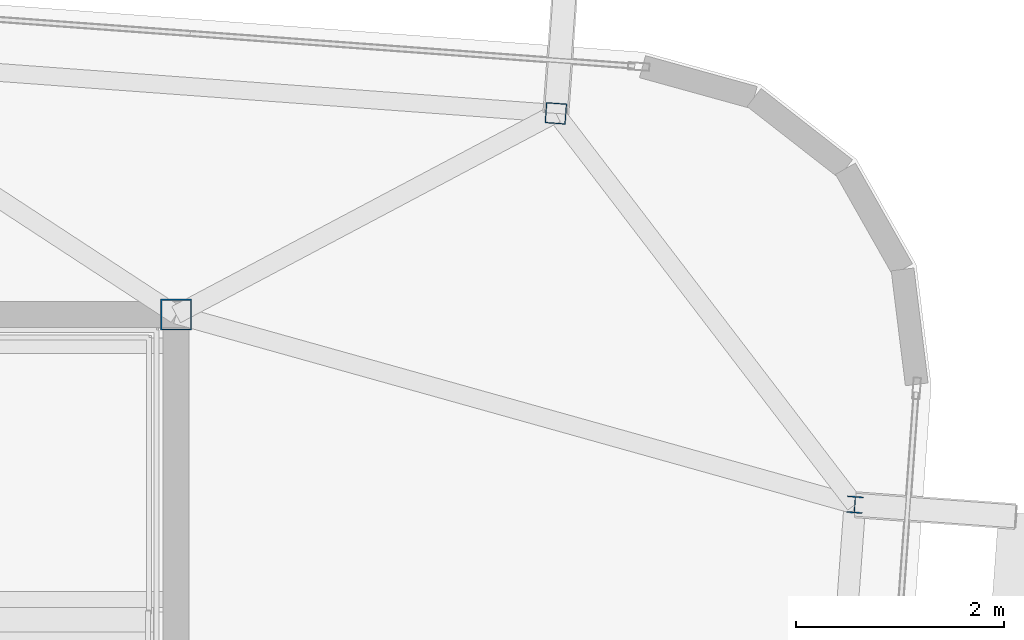
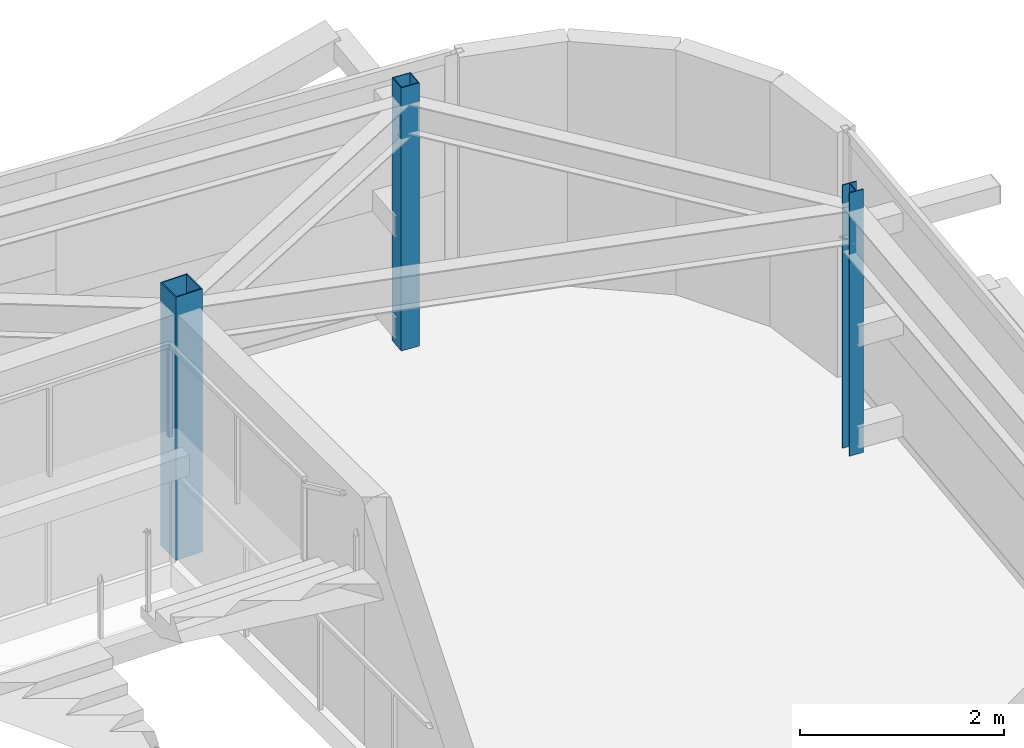
# One storey, part 6 of 35: 3 columns.
"""IFC4 building model written with IfcOpenShell, lengths in metres."""

import ifcopenshell
import ifcopenshell.guid

model = None  # the IFC model being written
_history = None  # IfcOwnerHistory: only IFC2X3 demands one
_inside = {}  # id of a spatial element -> (the spatial element, [elements in it])
_under = {}  # id of a project, library or spatial element -> (it, [spatial elements below it])
_declared = {}  # id of a project -> (the project, [libraries it declares])
_typed = {}  # id of a type object -> (the type object, [elements of that type])
_made_of = {}  # id of a material, layer set ... -> (it, [elements and type objects made of it])


def new_model(schema):
    """Start an empty IFC model of exactly this schema.

    Asked for "IFC4X3", IfcOpenShell would pick the latest addendum, in which some entities
    have other attributes; the version numbers below select the first issue.
    IFC2X3 requires an IfcOwnerHistory on every rooted entity: one is made here for all.
    """
    global model, _history
    if schema == "IFC4X3":
        model = ifcopenshell.file(schema_version=(4, 3, 0, 0))
    else:
        model = ifcopenshell.file(schema=schema)
    _inside.clear()
    _under.clear()
    _declared.clear()
    _typed.clear()
    _made_of.clear()
    _history = None
    if model.schema == "IFC2X3":
        org = make("IfcOrganization", Name="unknown")
        user = make(
            "IfcPersonAndOrganization",
            ThePerson=make("IfcPerson", FamilyName="unknown"),
            TheOrganization=org,
        )
        app = make(
            "IfcApplication",
            ApplicationDeveloper=org,
            Version="unknown",
            ApplicationFullName="unknown",
            ApplicationIdentifier="unknown",
        )
        _history = make(
            "IfcOwnerHistory",
            OwningUser=user,
            OwningApplication=app,
            ChangeAction="ADDED",
            CreationDate=0,
        )
    return model


def make(cls, **values):
    """One entity of the class cls with the attributes given. An attribute that is None is left unset."""
    return model.create_entity(
        cls, **{name: value for name, value in values.items() if value is not None}
    )


def rooted(cls, **values):
    """An entity with a GlobalId (a new one), such as an element, a storey or a relation."""
    return make(cls, GlobalId=ifcopenshell.guid.new(), OwnerHistory=_history, **values)


def si_unit(unit_type, name, prefix=None):
    """IfcSIUnit, for example si_unit("LENGTHUNIT", "METRE", prefix="MILLI")."""
    return make("IfcSIUnit", UnitType=unit_type, Prefix=prefix, Name=name)


def assignment(units):
    """IfcUnitAssignment: the units of a project."""
    return None if units is None else make("IfcUnitAssignment", Units=units)


def point(xyz):
    """IfcCartesianPoint."""
    return None if xyz is None else make("IfcCartesianPoint", Coordinates=xyz)


def direction(xyz):
    """IfcDirection."""
    return None if xyz is None else make("IfcDirection", DirectionRatios=xyz)


def frame(location, z_axis=None, x_axis=None):
    """IfcAxis2Placement3D, a coordinate frame: its origin and axes. An axis left out is left unset."""
    return make(
        "IfcAxis2Placement3D",
        Location=point(location),
        Axis=direction(z_axis),
        RefDirection=direction(x_axis),
    )


def frame_2d(location, x_axis=None):
    """IfcAxis2Placement2D, a coordinate frame in the plane: its origin and x axis."""
    return make(
        "IfcAxis2Placement2D", Location=point(location), RefDirection=direction(x_axis)
    )


def origin():
    """The frame at (0, 0, 0) with its axes left unset."""
    return frame((0.0, 0.0, 0.0))


def origin_2d():
    """The frame at (0, 0) in the plane with its x axis left unset."""
    return frame_2d((0.0, 0.0))


def place(relative_to, where):
    """IfcLocalPlacement: puts the frame where relative to a parent placement (None: the world)."""
    return make(
        "IfcLocalPlacement", PlacementRelTo=relative_to, RelativePlacement=where
    )


def context(
    kind, dimensions, precision=None, world=None, true_north=None, identifier=None
):
    """IfcGeometricRepresentationContext, for example the 3D "Model" context."""
    return make(
        "IfcGeometricRepresentationContext",
        ContextIdentifier=identifier,
        ContextType=kind,
        CoordinateSpaceDimension=dimensions,
        Precision=precision,
        WorldCoordinateSystem=world,
        TrueNorth=true_north,
    )


def subcontext(parent, identifier, kind, view, scale=None):
    """IfcGeometricRepresentationSubContext, for example "Body" below "Model"."""
    return make(
        "IfcGeometricRepresentationSubContext",
        ContextIdentifier=identifier,
        ContextType=kind,
        ParentContext=parent,
        TargetScale=scale,
        TargetView=view,
    )


def project(units=None, contexts=None):
    """IfcProject with its units and contexts."""
    return rooted(
        "IfcProject",
        Name="project",
        RepresentationContexts=contexts,
        UnitsInContext=assignment(units),
    )


def spatial(cls, under=None, at=None, **own):
    """A site, building, storey or space (cls), placed at a placement, below another one or the project."""
    s = rooted(cls, ObjectPlacement=at, **own)
    if under is not None:
        _under.setdefault(under.id(), (under, []))[1].append(s)
    return s


def profile(cls, at=None, kind="AREA", **sizes):
    """A parametric profile (cls). Its sizes go by their IFC names, for example OverallWidth=200.0."""
    return make(cls, ProfileType=kind, Position=at, **sizes)


def hollow_rectangle(**sizes):
    """IfcRectangleHollowProfileDef."""
    return profile("IfcRectangleHollowProfileDef", **sizes)


def i_section(**sizes):
    """IfcIShapeProfileDef."""
    return profile("IfcIShapeProfileDef", **sizes)


def extrude(swept, where, along, depth):
    """IfcExtrudedAreaSolid: the profile swept, set in the frame where, extruded along a direction by depth."""
    return make(
        "IfcExtrudedAreaSolid",
        SweptArea=swept,
        Position=where,
        ExtrudedDirection=direction(along),
        Depth=depth,
    )


def shape(context_of_items, identifier, shape_type, items):
    """IfcShapeRepresentation: the items that make up one representation, for example the "Body"."""
    return make(
        "IfcShapeRepresentation",
        ContextOfItems=context_of_items,
        RepresentationIdentifier=identifier,
        RepresentationType=shape_type,
        Items=items,
    )


def source(mapping_origin, context_of_items, identifier, shape_type, items):
    """IfcRepresentationMap: a shape defined once, which mapped items show again and again."""
    return make(
        "IfcRepresentationMap",
        MappingOrigin=mapping_origin,
        MappedRepresentation=shape(context_of_items, identifier, shape_type, items),
    )


def transform(
    local_origin,
    x_axis=None,
    y_axis=None,
    z_axis=None,
    scale=None,
    scale2=None,
    scale3=None,
    uniform=True,
):
    """IfcCartesianTransformationOperator3D, or its non-uniform kind. x_axis, y_axis, z_axis: its Axis1, 2, 3."""
    if uniform:
        return make(
            "IfcCartesianTransformationOperator3D",
            Axis1=direction(x_axis),
            Axis2=direction(y_axis),
            LocalOrigin=point(local_origin),
            Scale=scale,
            Axis3=direction(z_axis),
        )
    return make(
        "IfcCartesianTransformationOperator3DnonUniform",
        Axis1=direction(x_axis),
        Axis2=direction(y_axis),
        LocalOrigin=point(local_origin),
        Scale=scale,
        Axis3=direction(z_axis),
        Scale2=scale2,
        Scale3=scale3,
    )


def mapped(mapping_source, mapping_target):
    """IfcMappedItem: shows the shape of a source again, moved by a transform."""
    return make(
        "IfcMappedItem", MappingSource=mapping_source, MappingTarget=mapping_target
    )


def material(Name=None, Category=None):
    """IfcMaterial."""
    return make("IfcMaterial", Name=Name, Category=Category)


def material_profile(
    of_material, cross_section, Name=None, Category=None, Priority=None
):
    """IfcMaterialProfile: a cross section and its material."""
    return make(
        "IfcMaterialProfile",
        Name=Name,
        Material=of_material,
        Profile=cross_section,
        Priority=Priority,
        Category=Category,
    )


def profile_set(profiles, Name=None, composite=None):
    """IfcMaterialProfileSet."""
    return make(
        "IfcMaterialProfileSet",
        Name=Name,
        MaterialProfiles=profiles,
        CompositeProfile=composite,
    )


def made_of(thing, what):
    """Note that an element or type object is made of a material, layer set ...; save() writes the relation."""
    if what is not None:
        _made_of.setdefault(what.id(), (what, []))[1].append(thing)
    return thing


def type_object(cls, material=None, **own):
    """A type object (cls), such as IfcWallType, which elements share."""
    return made_of(rooted(cls, **own), material)


def element(
    cls,
    number,
    at=None,
    inside=None,
    cuts=None,
    type_object=None,
    material=None,
    context=None,
    identifier="Body",
    shape_type=None,
    held_by="IfcProductDefinitionShape",
    body=None,
    shapes=None,
    **own,
):
    """One element of the class cls, such as IfcWall. Its Tag is "e" and its number.

    at: its placement. inside: the storey or other place that contains it. cuts: it is an
    opening in that element (IfcRelVoidsElement). A single representation is given by context,
    identifier, shape_type and body (its items); several are given by shapes. held_by: the class
    of the entity that holds the representations. save() writes the other relations.
    """
    e = rooted(cls, Tag="e%d" % number, ObjectPlacement=at, **own)
    if body is not None:
        shapes = [shape(context, identifier, shape_type, body)]
    if shapes is not None:
        e.Representation = make(held_by, Representations=shapes)
    if inside is not None:
        _inside.setdefault(inside.id(), (inside, []))[1].append(e)
    if cuts is not None:
        rooted(
            "IfcRelVoidsElement", RelatingBuildingElement=cuts, RelatedOpeningElement=e
        )
    if type_object is not None:
        _typed.setdefault(type_object.id(), (type_object, []))[1].append(e)
    return made_of(e, material)


def aggregate(whole, parts):
    """IfcRelAggregates: a whole, such as a stair, and the parts it consists of."""
    return rooted("IfcRelAggregates", RelatingObject=whole, RelatedObjects=parts)


def save(model, path):
    """Write the relations noted so far, then the file.

    IfcRelAggregates (storeys below a building ...), IfcRelContainedInSpatialStructure (elements
    in a storey), IfcRelDefinesByType, IfcRelAssociatesMaterial and IfcRelDeclares: one each for
    every whole, place, type object, material and project.
    """
    for whole, parts in _under.values():
        aggregate(whole, parts)
    for where, things in _inside.values():
        rooted(
            "IfcRelContainedInSpatialStructure",
            RelatedElements=things,
            RelatingStructure=where,
        )
    for kind, things in _typed.values():
        rooted("IfcRelDefinesByType", RelatedObjects=things, RelatingType=kind)
    for what, things in _made_of.values():
        rooted("IfcRelAssociatesMaterial", RelatedObjects=things, RelatingMaterial=what)
    for by, libraries in _declared.values():
        rooted("IfcRelDeclares", RelatingContext=by, RelatedDefinitions=libraries)
    model.write(path)


model = new_model("IFC4")

# Units and contexts
model_context = context("Model", 3, precision=1e-05, world=origin(), true_north=direction((0.0, 1.0)))
body_context = subcontext(model_context, "Body", "Model", "MODEL_VIEW")
ifc_project = project(units=[si_unit("LENGTHUNIT", "METRE"), si_unit("AREAUNIT", "SQUARE_METRE"), si_unit("VOLUMEUNIT", "CUBIC_METRE"), si_unit("PLANEANGLEUNIT", "RADIAN"), si_unit("MASSUNIT", "GRAM", prefix="KILO")], contexts=[model_context])

# Site, building, storey
site_placement = place(None, origin())
site = spatial("IfcSite", under=ifc_project, at=site_placement, CompositionType="ELEMENT")
building_placement = place(site_placement, origin())
building = spatial("IfcBuilding", under=site, at=building_placement, Name="Taldren Reach Tower", CompositionType="ELEMENT")
storey_placement = place(building_placement, frame((0.0, 0.0, 236.60009765625)))
storey = spatial("IfcBuildingStorey", under=building, at=storey_placement, Name="L72", CompositionType="ELEMENT", Elevation=236.60009765625)

# Columns
ifc_material_1 = material(Name="Steel Gr 450 (C450L0)", Category="steel")
ifc_material_profile_1 = material_profile(ifc_material_1, hollow_rectangle(XDim=0.300048828125, YDim=0.300048828125, WallThickness=0.012451171875, at=origin_2d()), Name="300x300x12.5SHS")
ifc_profile_set_1 = profile_set([ifc_material_profile_1], Name="Steel Gr 450 (C450L0)")
column_type_1 = type_object("IfcColumnType", Name="COL-SHS300", PredefinedType="COLUMN", material=ifc_profile_set_1)
shared_shape_1 = source(origin(), body_context, "Body", "SweptSolid", [
    extrude(hollow_rectangle(XDim=0.300048828125, YDim=0.300048828125, WallThickness=0.012451171875, at=origin_2d()), origin(), (0.0, 0.0, 1.0), 3.14990234375),
])
column_1_placement = place(storey_placement, frame((51.0, 32.0, 0.0), z_axis=(0.0, 0.0, 1.0), x_axis=(1.0, 0.0, 0.0)))
element("IfcColumn", 1, at=column_1_placement, inside=storey, type_object=column_type_1, Name="Mega column MC-C8 L72", PredefinedType="COLUMN", context=body_context, shape_type="MappedRepresentation", body=[
    mapped(shared_shape_1, transform((0.0, 0.0, 0.0), scale=1.0)),
])
ifc_material_2 = material(Name="Steel Gr 350 (C350L0)", Category="steel")
ifc_material_profile_2 = material_profile(ifc_material_2, hollow_rectangle(XDim=0.199951171875, YDim=0.199951171875, WallThickness=0.009033203125, at=origin_2d()), Name="200x200x9.0SHS")
ifc_profile_set_2 = profile_set([ifc_material_profile_2], Name="Steel Gr 350 (C350L0)")
column_type_2 = type_object("IfcColumnType", Name="COL-SHS200", PredefinedType="COLUMN", material=ifc_profile_set_2)
shared_shape_2 = source(origin(), body_context, "Body", "SweptSolid", [
    extrude(hollow_rectangle(XDim=0.199951171875, YDim=0.199951171875, WallThickness=0.009033203125, at=origin_2d()), origin(), (0.0, 0.0, 1.0), 3.14990234375),
])
column_2_placement = place(storey_placement, frame((54.659423828125, 33.939697265625, 0.0), z_axis=(0.0, 0.0, 1.0), x_axis=(0.997314477224, -0.073238197128, 0.0)))
element("IfcColumn", 2, at=column_2_placement, inside=storey, type_object=column_type_2, Name="Block B5 perimeter column N6 L72", PredefinedType="COLUMN", context=body_context, shape_type="MappedRepresentation", body=[
    mapped(shared_shape_2, transform((0.0, 0.0, 0.0), scale=1.0)),
])
ifc_material_3 = material(Name="Steel Gr 350 (350PLUS)", Category="steel")
ifc_material_profile_3 = material_profile(ifc_material_3, i_section(OverallWidth=0.154052734375, OverallDepth=0.162109375, WebThickness=0.008056640625, FlangeThickness=0.011474609375, at=origin_2d()), Name="150UC37.2")
ifc_profile_set_3 = profile_set([ifc_material_profile_3], Name="Steel Gr 350 (350PLUS)")
column_type_3 = type_object("IfcColumnType", Name="COL-UC150", PredefinedType="COLUMN", material=ifc_profile_set_3)
shared_shape_3 = source(origin(), body_context, "Body", "SweptSolid", [
    extrude(i_section(OverallWidth=0.154052734375, OverallDepth=0.162109375, WebThickness=0.008056640625, FlangeThickness=0.011474609375, at=origin_2d()), origin(), (0.0, 0.0, 1.0), 3.14990234375),
])
column_3_placement = place(storey_placement, frame((57.540771484375, 30.168701171875, 0.0), z_axis=(0.0, 0.0, 1.0), x_axis=(0.997314477224, -0.073238197128, 0.0)))
element("IfcColumn", 3, at=column_3_placement, inside=storey, type_object=column_type_3, Name="Block B5 perimeter column E3 L72", PredefinedType="COLUMN", context=body_context, shape_type="MappedRepresentation", body=[
    mapped(shared_shape_3, transform((0.0, 0.0, 0.0), scale=1.0)),
])

save(model, "model.ifc")
